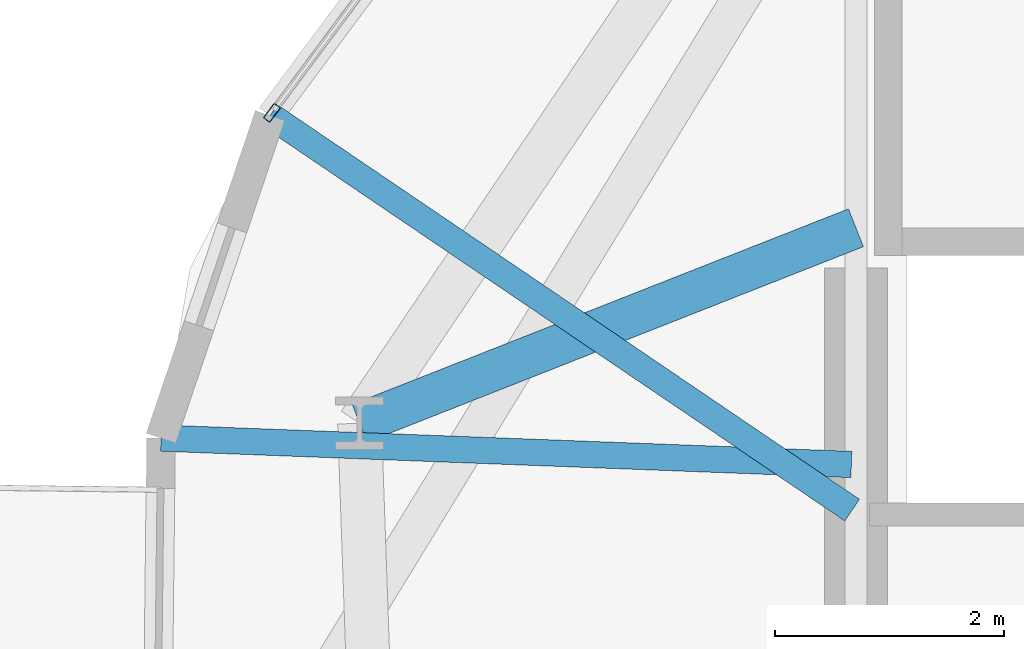
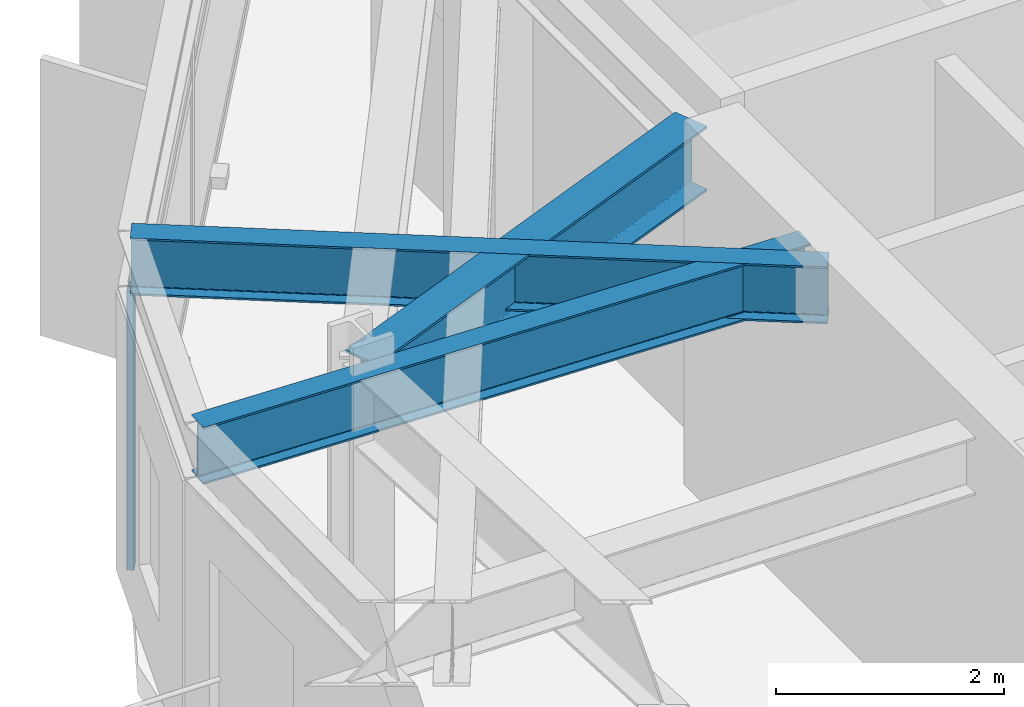
# One storey, part 7 of 27: 3 beams, 1 member, 1 element without a shape of its own.
"""IFC4 building model written with IfcOpenShell, lengths in metres."""

from ifc_helpers import new_model, si_unit, direction, frame, origin, origin_2d, place, context, subcontext, project, spatial, hollow_rectangle, i_section, extrude, material, layer, layer_set, material_profile, profile_set, type_object, element, aggregate, save


model = new_model("IFC4")

# Units and contexts
model_context = context("Model", 3, precision=1e-05, world=origin(), true_north=direction((0.0, 1.0)))
body_context = subcontext(model_context, "Body", "Model", "MODEL_VIEW")
ifc_project = project(units=[si_unit("LENGTHUNIT", "METRE"), si_unit("AREAUNIT", "SQUARE_METRE"), si_unit("VOLUMEUNIT", "CUBIC_METRE"), si_unit("PLANEANGLEUNIT", "RADIAN"), si_unit("MASSUNIT", "GRAM", prefix="KILO")], contexts=[model_context])

# Site, building, storey
site_placement = place(None, origin())
site = spatial("IfcSite", under=ifc_project, at=site_placement, CompositionType="ELEMENT")
building_placement = place(site_placement, origin())
building = spatial("IfcBuilding", under=site, at=building_placement, Name="Soratama Intermodal Tower", CompositionType="ELEMENT")
storey_placement = place(building_placement, frame((0.0, 0.0, 95.199951171875)))
storey = spatial("IfcBuildingStorey", under=building, at=storey_placement, Name="L22", CompositionType="ELEMENT", Elevation=95.199951171875)

# Beams
ifc_material_1 = material(Name="Structural steel ASTM A992 Grade 50", Category="steel")
ifc_material_profile_1 = material_profile(ifc_material_1, i_section(OverallWidth=0.35498046875, OverallDepth=0.695068359375, WebThickness=0.015380859375, FlangeThickness=0.02490234375, FilletRadius=0.01611328125, at=origin_2d()), Name="W27X146")
ifc_profile_set_1 = profile_set([ifc_material_profile_1], Name="Structural steel ASTM A992 Grade 50")
beam_type_1 = type_object("IfcBeamType", Name="BM-RING-W27X146", PredefinedType="BEAM", material=ifc_profile_set_1)
beam_1_placement = place(storey_placement, frame((32.60009765625, 31.5, 3.25244140625), z_axis=(-0.930419244357, -0.366496970971, 0.0), x_axis=(0.366496970971, -0.930419244357, 0.0)))
element("IfcBeam", 1, at=beam_1_placement, inside=storey, type_object=beam_type_1, Name="BM-L22-RAD-05", PredefinedType="BEAM", context=body_context, shape_type="SweptSolid", body=[
    extrude(i_section(OverallWidth=0.35498046875, OverallDepth=0.695068359375, WebThickness=0.015380859375, FlangeThickness=0.02490234375, FilletRadius=0.01611328125, at=origin_2d()), origin(), (0.0, 0.0, 1.0), 4.649658203125),
])
ifc_material_2 = material(Name="Structural steel ASTM A992 Grade 50", Category="steel")
ifc_material_profile_2 = material_profile(ifc_material_2, i_section(OverallWidth=0.22900390625, OverallDepth=0.612060546875, WebThickness=0.011962890625, FlangeThickness=0.01953125, FilletRadius=0.012939453125, at=origin_2d()), Name="W24X84")
ifc_profile_set_2 = profile_set([ifc_material_profile_2], Name="Structural steel ASTM A992 Grade 50")
beam_type_2 = type_object("IfcBeamType", Name="BM-TIE-W24X84", PredefinedType="BEAM", material=ifc_profile_set_2)
beam_2_placement = place(storey_placement, frame((32.56689453125, 29.0390625, 3.2939453125), z_axis=(-0.827785626107, 0.561044523377, 0.0), x_axis=(-0.561044523377, -0.827785626107, 0.0)))
element("IfcBeam", 2, at=beam_2_placement, inside=storey, type_object=beam_type_2, Name="BM-L22-TIE1-04", PredefinedType="BEAM", context=body_context, shape_type="SweptSolid", body=[
    extrude(i_section(OverallWidth=0.22900390625, OverallDepth=0.612060546875, WebThickness=0.011962890625, FlangeThickness=0.01953125, FilletRadius=0.012939453125, at=origin_2d()), origin(), (0.0, 0.0, 1.0), 6.129638671875),
])
beam_3_placement = place(storey_placement, frame((32.56005859375, 29.43701171875, 3.2939453125), z_axis=(-0.999270132149, 0.038199515643, 0.0), x_axis=(-0.038199515643, -0.999270132149, 0.0)))
element("IfcBeam", 3, at=beam_3_placement, inside=storey, type_object=beam_type_2, Name="BM-L22-TIE0-05", PredefinedType="BEAM", context=body_context, shape_type="SweptSolid", body=[
    extrude(i_section(OverallWidth=0.22900390625, OverallDepth=0.612060546875, WebThickness=0.011962890625, FlangeThickness=0.01953125, FilletRadius=0.012939453125, at=origin_2d()), origin(), (0.0, 0.0, 1.0), 6.0205078125),
])

# Curtain wall, member
ifc_material_3 = material(Name="Double-glazed aluminium curtain wall", Category="aluminium")
ifc_layer = layer(ifc_material_3, 0.159912109375)
ifc_layer_set = layer_set([ifc_layer], Name="Double-glazed aluminium curtain wall")
curtain_wall_type = type_object("IfcCurtainWallType", Name="CW-SYS-3", PredefinedType="NOTDEFINED", material=ifc_layer_set)
curtain_wall_placement = place(storey_placement, origin())
curtain_wall = element("IfcCurtainWall", 4, at=curtain_wall_placement, inside=storey, type_object=curtain_wall_type, Name="L22 Faceted Curtain Wall F04", PredefinedType="NOTDEFINED")
ifc_material_4 = material(Name="Anodised aluminium AA 6063-T6", Category="aluminium")
ifc_material_profile_3 = material_profile(ifc_material_4, hollow_rectangle(XDim=0.070068359375, YDim=0.159912109375, WallThickness=0.0048828125, InnerFilletRadius=0.0048828125, OuterFilletRadius=0.010009765625, at=origin_2d()), Name="CWM160X70X5")
ifc_profile_set_3 = profile_set([ifc_material_profile_3], Name="Anodised aluminium AA 6063-T6")
member_type = type_object("IfcMemberType", Name="MT-CWM-3", PredefinedType="MULLION", material=ifc_profile_set_3)
member_placement = place(storey_placement, frame((27.5107421875, 32.501953125, 0.0), z_axis=(0.0, 0.0, 1.0), x_axis=(0.802188958901, -0.597070242281, 0.0)))
member = element("IfcMember", 5, at=member_placement, type_object=member_type, Name="CW-3 mullion 3", PredefinedType="MULLION", context=body_context, shape_type="SweptSolid", body=[
    extrude(hollow_rectangle(XDim=0.070068359375, YDim=0.159912109375, WallThickness=0.0048828125, InnerFilletRadius=0.0048828125, OuterFilletRadius=0.010009765625, at=origin_2d()), origin(), (0.0, 0.0, 1.0), 2.97900390625),
])
aggregate(curtain_wall, [member])

save(model, "model.ifc")
